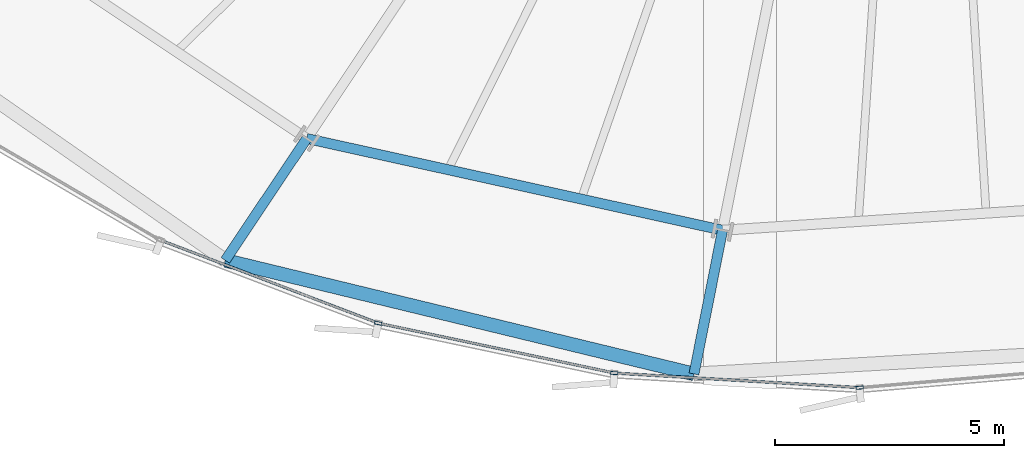
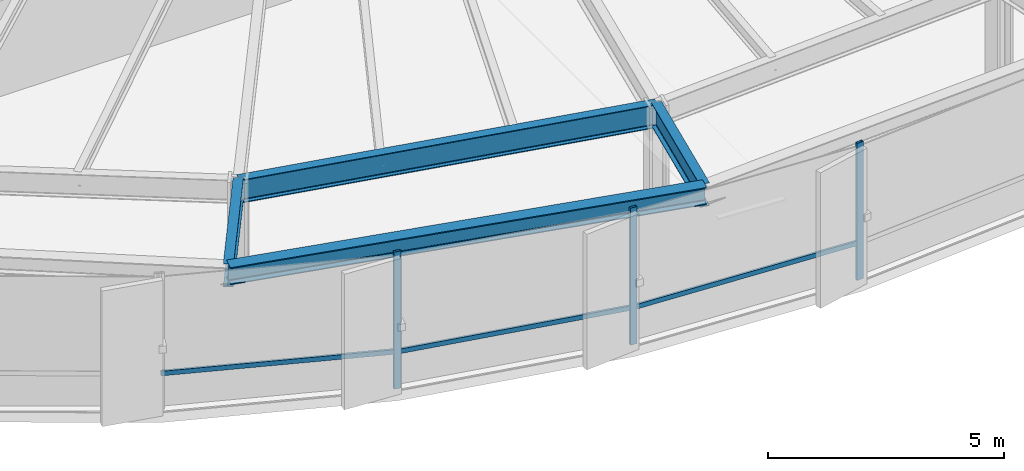
# One storey, part 4 of 38: 6 members, 4 beams, 1 element without a shape of its own.
"""IFC4 building model written with IfcOpenShell, lengths in metres."""

from ifc_helpers import new_model, si_unit, direction, frame, origin, origin_2d, place, context, subcontext, project, spatial, hollow_rectangle, i_section, extrude, source, transform, mapped, material, layer, layer_set, material_profile, profile_set, type_object, element, aggregate, save


model = new_model("IFC4")

# Units and contexts
model_context = context("Model", 3, precision=1e-05, world=origin(), true_north=direction((0.0, 1.0)))
body_context = subcontext(model_context, "Body", "Model", "MODEL_VIEW")
ifc_project = project(units=[si_unit("LENGTHUNIT", "METRE"), si_unit("AREAUNIT", "SQUARE_METRE"), si_unit("VOLUMEUNIT", "CUBIC_METRE"), si_unit("PLANEANGLEUNIT", "RADIAN"), si_unit("MASSUNIT", "GRAM", prefix="KILO"), si_unit("THERMODYNAMICTEMPERATUREUNIT", "KELVIN")], contexts=[model_context])

# Site, building, storey
site_placement = place(None, origin())
site = spatial("IfcSite", under=ifc_project, at=site_placement, CompositionType="ELEMENT")
building_placement = place(site_placement, origin())
building = spatial("IfcBuilding", under=site, at=building_placement, Name="Kethvar Cultural Tower", CompositionType="ELEMENT")
storey_placement = place(building_placement, frame((0.0, 0.0, 67.60009765625)))
storey = spatial("IfcBuildingStorey", under=building, at=storey_placement, Name="L16", CompositionType="ELEMENT", Elevation=67.60009765625)

# Beams
ifc_material_1 = material(Name="Steel S355J2", Category="steel")
ifc_material_profile_1 = material_profile(ifc_material_1, i_section(OverallWidth=0.219970703125, OverallDepth=0.60009765625, WebThickness=0.011962890625, FlangeThickness=0.01904296875, FilletRadius=0.02392578125, at=origin_2d()), Name="Steel S355J2 — IPE600")
ifc_profile_set_1 = profile_set([ifc_material_profile_1], Name="Steel S355J2 — IPE600")
beam_type_1 = type_object("IfcBeamType", Name="BM-IPE600", PredefinedType="BEAM", material=ifc_profile_set_1)
shared_shape_1 = source(origin(), body_context, "Body", "SweptSolid", [
    extrude(i_section(OverallWidth=0.219970703125, OverallDepth=0.60009765625, WebThickness=0.011962890625, FlangeThickness=0.01904296875, FilletRadius=0.02392578125, at=origin_2d()), origin(), (0.0, 0.0, 1.0), 3.2001953125),
])
beam_1_placement = place(storey_placement, frame((42.38330078125, 5.59619140625, 3.247802734375), z_axis=(-0.195074368086, -0.980788453702, 0.0), x_axis=(0.980788453702, -0.195074368086, 0.0)))
element("IfcBeam", 1, at=beam_1_placement, inside=storey, type_object=beam_type_1, Name="L16 Perimeter Cantilever Beam RC-12", PredefinedType="BEAM", context=body_context, shape_type="MappedRepresentation", body=[
    mapped(shared_shape_1, transform((0.0, 0.0, 0.0), scale=1.0)),
])
shared_shape_2 = source(origin(), body_context, "Body", "SweptSolid", [
    extrude(i_section(OverallWidth=0.219970703125, OverallDepth=0.60009765625, WebThickness=0.011962890625, FlangeThickness=0.01904296875, FilletRadius=0.02392578125, at=origin_2d()), origin(), (0.0, 0.0, 1.0), 3.199951171875),
])
beam_2_placement = place(storey_placement, frame((33.302001953125, 7.598876953125, 3.247802734375), z_axis=(-0.555580212716, -0.831462943996, 0.0), x_axis=(0.831462943996, -0.555580212716, 0.0)))
element("IfcBeam", 2, at=beam_2_placement, inside=storey, type_object=beam_type_1, Name="L16 Perimeter Cantilever Beam RC-11", PredefinedType="BEAM", context=body_context, shape_type="MappedRepresentation", body=[
    mapped(shared_shape_2, transform((0.0, 0.0, 0.0), scale=1.0)),
])
shared_shape_3 = source(origin(), body_context, "Body", "SweptSolid", [
    extrude(i_section(OverallWidth=0.219970703125, OverallDepth=0.60009765625, WebThickness=0.011962890625, FlangeThickness=0.01904296875, FilletRadius=0.02392578125, at=origin_2d()), origin(), (0.0, 0.0, 1.0), 9.299560546875),
])
beam_3_placement = place(storey_placement, frame((33.302001953125, 7.598876953125, 3.247802734375), z_axis=(0.976536034872, -0.21535406334, 0.0), x_axis=(0.21535406334, 0.976536034872, 0.0)))
element("IfcBeam", 3, at=beam_3_placement, inside=storey, type_object=beam_type_1, Name="L16 Column Ring Tie Beam CR-11", PredefinedType="BEAM", context=body_context, shape_type="MappedRepresentation", body=[
    mapped(shared_shape_3, transform((0.0, 0.0, 0.0), scale=1.0)),
])
ifc_material_profile_2 = material_profile(ifc_material_1, i_section(OverallWidth=0.300048828125, OverallDepth=0.449951171875, WebThickness=0.013916015625, FlangeThickness=0.02587890625, FilletRadius=0.027099609375, at=origin_2d()), Name="Steel S355J2 — HEB450")
ifc_profile_set_2 = profile_set([ifc_material_profile_2], Name="Steel S355J2 — HEB450")
beam_type_2 = type_object("IfcBeamType", Name="BM-SP450", PredefinedType="SPANDREL", material=ifc_profile_set_2)
shared_shape_4 = source(origin(), body_context, "Body", "SweptSolid", [
    extrude(i_section(OverallWidth=0.300048828125, OverallDepth=0.449951171875, WebThickness=0.013916015625, FlangeThickness=0.02587890625, FilletRadius=0.027099609375, at=origin_2d()), origin(), (0.0, 0.0, 1.0), 10.53125),
])
beam_4_placement = place(storey_placement, frame((31.524169921875, 4.938232421875, 3.322998046875), z_axis=(0.971860238373, -0.235558224372, 0.0), x_axis=(0.235558224372, 0.971860238373, 0.0)))
element("IfcBeam", 4, at=beam_4_placement, inside=storey, type_object=beam_type_2, Name="L16 Perimeter Spandrel Beam SP-11", PredefinedType="SPANDREL", context=body_context, shape_type="MappedRepresentation", body=[
    mapped(shared_shape_4, transform((0.0, 0.0, 0.0), scale=1.0)),
])

# Curtain wall, members
ifc_material_2 = material(Name="Aluminium 6063-T6", Category="aluminium")
ifc_layer = layer(ifc_material_2, 0.179931640625, Name="Aluminium 6063-T6", Category="aluminium")
ifc_layer_set = layer_set([ifc_layer], Name="Aluminium 6063-T6 (180 mm)")
curtain_wall_type = type_object("IfcCurtainWallType", Name="CW-SYS-02-Z1", PredefinedType="NOTDEFINED", material=ifc_layer_set)
curtain_wall_placement = place(storey_placement, origin())
curtain_wall = element("IfcCurtainWall", 5, at=curtain_wall_placement, inside=storey, type_object=curtain_wall_type, Name="L16 Curtain Wall Run 05", PredefinedType="NOTDEFINED")
ifc_material_profile_3 = material_profile(ifc_material_2, hollow_rectangle(XDim=0.06494140625, YDim=0.159912109375, WallThickness=0.0048828125, at=origin_2d()), Name="Aluminium 6063-T6 — RHS160x65x5")
ifc_profile_set_3 = profile_set([ifc_material_profile_3], Name="Aluminium 6063-T6 — RHS160x65x5")
member_type_1 = type_object("IfcMemberType", Name="CW-SYS-02-Z1-MUL", PredefinedType="MULLION", material=ifc_profile_set_3)
shared_shape_5 = source(origin(), body_context, "Body", "SweptSolid", [
    extrude(hollow_rectangle(XDim=0.06494140625, YDim=0.159912109375, WallThickness=0.0048828125, at=origin_2d()), origin(), (0.0, 0.0, 1.0), 3.5498046875),
])
member_1_placement = place(storey_placement, frame((34.865478515625, 3.56591796875, 0.0), z_axis=(0.0, 0.0, 1.0), x_axis=(0.206562813813, 0.978433341598, 0.0)))
member_1 = element("IfcMember", 6, at=member_1_placement, type_object=member_type_1, Name="CW-L16-R05 Mullion 2", PredefinedType="MULLION", context=body_context, shape_type="MappedRepresentation", body=[
    mapped(shared_shape_5, transform((0.0, 0.0, 0.0), scale=1.0)),
])
member_2_placement = place(storey_placement, frame((40.017822265625, 2.476806640625, 0.0), z_axis=(0.0, 0.0, 1.0), x_axis=(0.059097301416, 0.998252227128, 0.0)))
member_2 = element("IfcMember", 7, at=member_2_placement, type_object=member_type_1, Name="CW-L16-R05 Mullion 3", PredefinedType="MULLION", context=body_context, shape_type="MappedRepresentation", body=[
    mapped(shared_shape_5, transform((0.0, 0.0, 0.0), scale=1.0)),
])
member_3_placement = place(storey_placement, frame((45.377197265625, 2.158203125, 0.0), z_axis=(0.0, 0.0, 1.0), x_axis=(-0.085364754503, 0.996349767245, 0.0)))
member_3 = element("IfcMember", 8, at=member_3_placement, type_object=member_type_1, Name="CW-L16-R05 Mullion 4", PredefinedType="MULLION", context=body_context, shape_type="MappedRepresentation", body=[
    mapped(shared_shape_5, transform((0.0, 0.0, 0.0), scale=1.0)),
])
ifc_material_profile_4 = material_profile(ifc_material_2, hollow_rectangle(XDim=0.054931640625, YDim=0.1201171875, WallThickness=0.00390625, at=origin_2d()), Name="Aluminium 6063-T6 — RHS120x55x4")
ifc_profile_set_4 = profile_set([ifc_material_profile_4], Name="Aluminium 6063-T6 — RHS120x55x4")
member_type_2 = type_object("IfcMemberType", Name="CW-SYS-02-Z1-TRN", PredefinedType="USERDEFINED", material=ifc_profile_set_4)
shared_shape_6 = source(origin(), body_context, "Body", "SweptSolid", [
    extrude(hollow_rectangle(XDim=0.054931640625, YDim=0.1201171875, WallThickness=0.00390625, at=origin_2d()), origin(), (0.0, 0.0, 1.0), 5.050048828125),
])
member_4_placement = place(storey_placement, frame((30.120361328125, 5.375244140625, 0.949951171875), z_axis=(0.934484671528, -0.356003368915, 0.0), x_axis=(0.356003368915, 0.934484671528, 0.0)))
member_4 = element("IfcMember", 9, at=member_4_placement, type_object=member_type_2, Name="CW-L16-R05 Transom 1", ObjectType="TRANSOM", PredefinedType="USERDEFINED", context=body_context, shape_type="MappedRepresentation", body=[
    mapped(shared_shape_6, transform((0.0, 0.0, 0.0), scale=1.0)),
])
shared_shape_7 = source(origin(), body_context, "Body", "SweptSolid", [
    extrude(hollow_rectangle(XDim=0.054931640625, YDim=0.1201171875, WallThickness=0.00390625, at=origin_2d()), origin(), (0.0, 0.0, 1.0), 5.1904296875),
])
member_5_placement = place(storey_placement, frame((34.9111328125, 3.55615234375, 0.949951171875), z_axis=(0.978439353839, -0.206534333367, 0.0), x_axis=(0.206534333367, 0.978439353839, 0.0)))
member_5 = element("IfcMember", 10, at=member_5_placement, type_object=member_type_2, Name="CW-L16-R05 Transom 2", ObjectType="TRANSOM", PredefinedType="USERDEFINED", context=body_context, shape_type="MappedRepresentation", body=[
    mapped(shared_shape_7, transform((0.0, 0.0, 0.0), scale=1.0)),
])
shared_shape_8 = source(origin(), body_context, "Body", "SweptSolid", [
    extrude(hollow_rectangle(XDim=0.054931640625, YDim=0.1201171875, WallThickness=0.00390625, at=origin_2d()), origin(), (0.0, 0.0, 1.0), 5.292236328125),
])
member_6_placement = place(storey_placement, frame((40.064697265625, 2.47412109375, 0.949951171875), z_axis=(0.998252350905, -0.059095210569, 0.0), x_axis=(0.059095210569, 0.998252350905, 0.0)))
member_6 = element("IfcMember", 11, at=member_6_placement, type_object=member_type_2, Name="CW-L16-R05 Transom 3", ObjectType="TRANSOM", PredefinedType="USERDEFINED", context=body_context, shape_type="MappedRepresentation", body=[
    mapped(shared_shape_8, transform((0.0, 0.0, 0.0), scale=1.0)),
])
aggregate(curtain_wall, [member_1, member_2, member_3, member_4, member_5, member_6])

save(model, "model.ifc")
